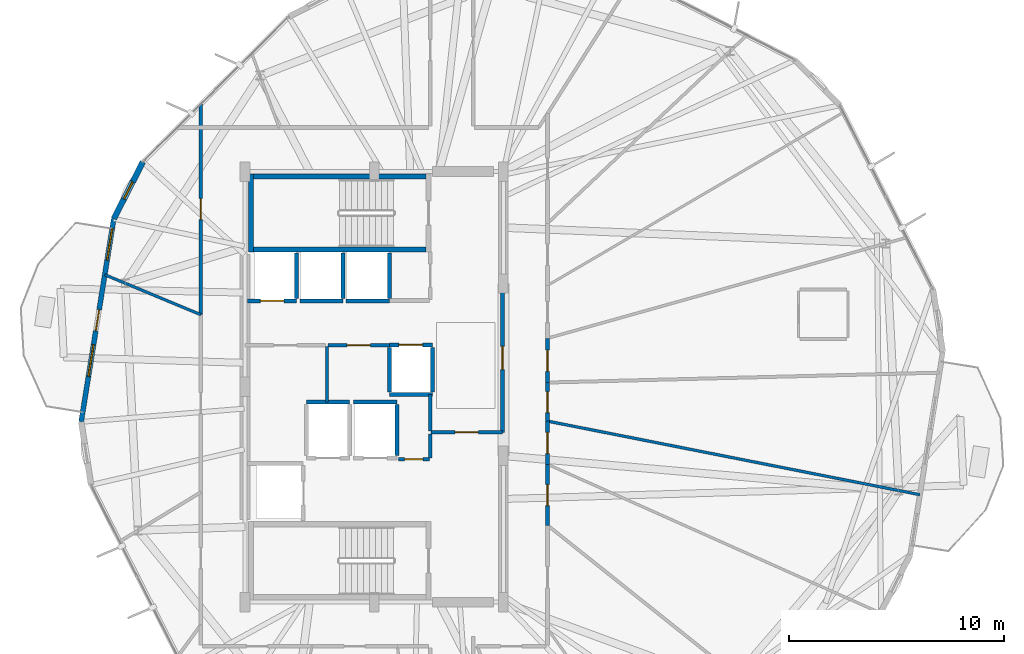
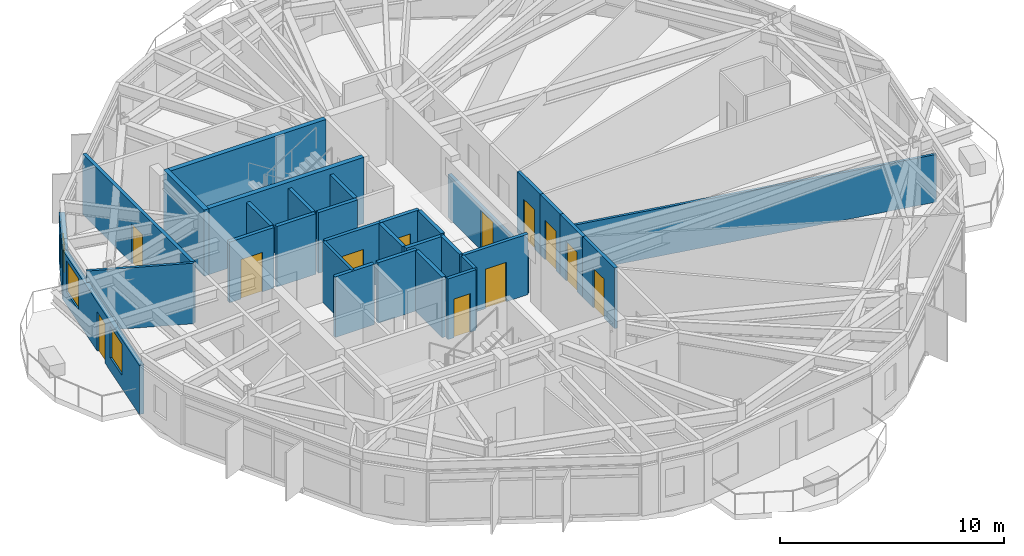
# One storey, part 22 of 27: 32 walls, 12 doors, 3 windows, 15 openings.
"""IFC4 building model written with IfcOpenShell, lengths in metres."""

from ifc_helpers import new_model, si_unit, direction, frame, frame_2d, origin, place, context, subcontext, project, spatial, rectangle, extrude, material, layer, layer_set, type_object, element, fill, save


model = new_model("IFC4")

# Units and contexts
model_context = context("Model", 3, precision=1e-05, world=origin(), true_north=direction((0.0, 1.0)))
body_context = subcontext(model_context, "Body", "Model", "MODEL_VIEW")
ifc_project = project(units=[si_unit("LENGTHUNIT", "METRE"), si_unit("AREAUNIT", "SQUARE_METRE"), si_unit("VOLUMEUNIT", "CUBIC_METRE"), si_unit("PLANEANGLEUNIT", "RADIAN"), si_unit("MASSUNIT", "GRAM", prefix="KILO")], contexts=[model_context])

# Site, building, storey
site_placement = place(None, origin())
site = spatial("IfcSite", under=ifc_project, at=site_placement, CompositionType="ELEMENT")
building_placement = place(site_placement, origin())
building = spatial("IfcBuilding", under=site, at=building_placement, Name="Soratama Intermodal Tower", CompositionType="ELEMENT")
storey_placement = place(building_placement, frame((0.0, 0.0, 197.800048828125)))
storey = spatial("IfcBuildingStorey", under=building, at=storey_placement, Name="L49", CompositionType="ELEMENT", Elevation=197.800048828125)

# Wall, openings, door, windows
ifc_material_1 = material(Name="Concrete f'c 42 MPa", Category="concrete")
ifc_layer_1 = layer(ifc_material_1, 0.22998046875)
ifc_layer_set_1 = layer_set([ifc_layer_1], Name="Concrete f'c 42 MPa")
wall_type_1 = type_object("IfcWallType", Name="EW-BAL-230", PredefinedType="SOLIDWALL", material=ifc_layer_set_1)
wall_1_placement = place(storey_placement, frame((26.50390625, 32.806640625, 0.0), z_axis=(0.0, 0.0, 1.0), x_axis=(-0.158485894053, -0.987361241586, 0.0)))
wall_1 = element("IfcWall", 1, at=wall_1_placement, inside=storey, type_object=wall_type_1, Name="L49 Terrace Wall F04", PredefinedType="SOLIDWALL", context=body_context, shape_type="SweptSolid", body=[
    extrude(rectangle(XDim=9.552490234375, YDim=0.22998046875, at=frame_2d((4.7763671875, 0.0))), origin(), (0.0, 0.0, 1.0), 2.678955078125),
])
opening_1_placement = place(wall_1_placement, frame((4.276123046875, 0.0, 0.0)))
opening_1 = element("IfcOpeningElement", 2, at=opening_1_placement, cuts=wall_1, Name="Opening ED-2", PredefinedType="OPENING", context=body_context, shape_type="SweptSolid", body=[
    extrude(rectangle(XDim=1.0, YDim=2.14990234375, at=frame_2d((0.5, 1.074951171875))), frame((0.0, 0.125, 0.0), z_axis=(0.0, -1.0, 0.0), x_axis=(1.0, 0.0, 0.0)), (0.0, 0.0, 1.0), 0.25),
])
opening_2_placement = place(wall_1_placement, frame((0.43994140625, 0.0, 0.719970703125)))
opening_2 = element("IfcOpeningElement", 3, at=opening_2_placement, cuts=wall_1, Name="Opening WN-1", PredefinedType="OPENING", context=body_context, shape_type="SweptSolid", body=[
    extrude(rectangle(XDim=1.5, YDim=1.699951171875, at=frame_2d((0.75, 0.85009765625))), frame((0.0, 0.125, 0.0), z_axis=(0.0, -1.0, 0.0), x_axis=(1.0, 0.0, 0.0)), (0.0, 0.0, 1.0), 0.25),
])
opening_3_placement = place(wall_1_placement, frame((5.916259765625, 0.0, 0.719970703125)))
opening_3 = element("IfcOpeningElement", 4, at=opening_3_placement, cuts=wall_1, Name="Opening WN-1", PredefinedType="OPENING", context=body_context, shape_type="SweptSolid", body=[
    extrude(rectangle(XDim=1.5, YDim=1.699951171875, at=frame_2d((0.75, 0.85009765625))), frame((0.0, 0.125, 0.0), z_axis=(0.0, -1.0, 0.0), x_axis=(1.0, 0.0, 0.0)), (0.0, 0.0, 1.0), 0.25),
])
ifc_material_2 = material(Name="Double-glazed aluminium door", Category="aluminium")
door_type_1 = type_object("IfcDoorType", Name="DR-BAL-1000", OperationType="NOTDEFINED", PredefinedType="DOOR", material=ifc_material_2)
door_1_placement = place(opening_1_placement, origin())
door_1 = element("IfcDoor", 5, at=door_1_placement, inside=storey, type_object=door_type_1, Name="L49 Balcony Door F04", OperationType="SINGLE_SWING_RIGHT", OverallHeight=2.14990234375, OverallWidth=1.0, PredefinedType="DOOR", context=body_context, shape_type="SweptSolid", body=[
    extrude(rectangle(XDim=1.0, YDim=2.14990234375, at=frame_2d((0.5, 1.074951171875))), frame((0.0, 0.02490234375, 0.0), z_axis=(0.0, -1.0, 0.0), x_axis=(1.0, 0.0, 0.0)), (0.0, 0.0, 1.0), 0.050048828125),
])
fill(opening_1, door_1)
ifc_material_3 = material(Name="Double-glazed aluminium window", Category="aluminium")
window_type_1 = type_object("IfcWindowType", Name="WN-FAC-1500", PartitioningType="SINGLE_PANEL", PredefinedType="WINDOW", material=ifc_material_3)
window_1_placement = place(opening_2_placement, origin())
window_1 = element("IfcWindow", 6, at=window_1_placement, inside=storey, type_object=window_type_1, Name="L49 Window A F04", OverallHeight=1.699951171875, OverallWidth=1.5, PartitioningType="SINGLE_PANEL", PredefinedType="WINDOW", context=body_context, shape_type="SweptSolid", body=[
    extrude(rectangle(XDim=1.5, YDim=1.699951171875, at=frame_2d((0.75, 0.85009765625))), frame((0.0, 0.030029296875, 0.0), z_axis=(0.0, -1.0, 0.0), x_axis=(1.0, 0.0, 0.0)), (0.0, 0.0, 1.0), 0.06005859375),
])
fill(opening_2, window_1)
window_2_placement = place(opening_3_placement, origin())
window_2 = element("IfcWindow", 7, at=window_2_placement, inside=storey, type_object=window_type_1, Name="L49 Window B F04", OverallHeight=1.699951171875, OverallWidth=1.5, PartitioningType="SINGLE_PANEL", PredefinedType="WINDOW", context=body_context, shape_type="SweptSolid", body=[
    extrude(rectangle(XDim=1.5, YDim=1.699951171875, at=frame_2d((0.75, 0.85009765625))), frame((0.0, 0.030029296875, 0.0), z_axis=(0.0, -1.0, 0.0), x_axis=(1.0, 0.0, 0.0)), (0.0, 0.0, 1.0), 0.06005859375),
])
fill(opening_3, window_2)

# Wall, opening, window
ifc_material_4 = material(Name="Concrete f'c 42 MPa", Category="concrete")
ifc_layer_2 = layer(ifc_material_4, 0.27001953125)
ifc_layer_set_2 = layer_set([ifc_layer_2], Name="Concrete f'c 42 MPa")
wall_type_2 = type_object("IfcWallType", Name="EW-CRN-270", PredefinedType="SOLIDWALL", material=ifc_layer_set_2)
wall_2_placement = place(storey_placement, frame((27.856201171875, 35.447021484375, 0.0), z_axis=(0.0, 0.0, 1.0), x_axis=(-0.455850427724, -0.89005639571, 0.0)))
wall_2 = element("IfcWall", 8, at=wall_2_placement, inside=storey, type_object=wall_type_2, Name="L49 Corner Closure Wall 03", PredefinedType="SOLIDWALL", context=body_context, shape_type="SweptSolid", body=[
    extrude(rectangle(XDim=2.966552734375, YDim=0.27001953125, at=frame_2d((1.4833984375, 0.0))), origin(), (0.0, 0.0, 1.0), 2.678955078125),
])
opening_4_placement = place(wall_2_placement, frame((1.033203125, 0.0, 0.75)))
opening_4 = element("IfcOpeningElement", 9, at=opening_4_placement, cuts=wall_2, Name="Opening WN-6", PredefinedType="OPENING", context=body_context, shape_type="SweptSolid", body=[
    extrude(rectangle(XDim=0.89990234375, YDim=1.5, at=frame_2d((0.449951171875, 0.75))), frame((0.0, 0.14501953125, 0.0), z_axis=(0.0, -1.0, 0.0), x_axis=(1.0, 0.0, 0.0)), (0.0, 0.0, 1.0), 0.2900390625),
])
ifc_material_5 = material(Name="Double-glazed aluminium window", Category="aluminium")
window_type_2 = type_object("IfcWindowType", Name="WN-FAC-900", PartitioningType="SINGLE_PANEL", PredefinedType="WINDOW", material=ifc_material_5)
window_3_placement = place(opening_4_placement, origin())
window_3 = element("IfcWindow", 10, at=window_3_placement, inside=storey, type_object=window_type_2, Name="L49 Corner Window 03", OverallHeight=1.5, OverallWidth=0.89990234375, PartitioningType="SINGLE_PANEL", PredefinedType="WINDOW", context=body_context, shape_type="SweptSolid", body=[
    extrude(rectangle(XDim=0.89990234375, YDim=1.5, at=frame_2d((0.449951171875, 0.75))), frame((0.0, 0.030029296875, 0.0), z_axis=(0.0, -1.0, 0.0), x_axis=(1.0, 0.0, 0.0)), (0.0, 0.0, 1.0), 0.06005859375),
])
fill(opening_4, window_3)

# Wall, opening, door
ifc_material_6 = material(Name="Fire-rated gypsum stud partition", Category="concrete")
ifc_layer_3 = layer(ifc_material_6, 0.169921875)
ifc_layer_set_3 = layer_set([ifc_layer_3], Name="Fire-rated gypsum stud partition")
wall_type_3 = type_object("IfcWallType", Name="IW-PART-R170", PredefinedType="PARTITIONING", material=ifc_layer_set_3)
wall_3_placement = place(storey_placement, frame((30.550048828125, 28.35107421875, 0.0), z_axis=(0.0, 0.0, 1.0), x_axis=(0.0, 1.0, 0.0)))
wall_3 = element("IfcWall", 11, at=wall_3_placement, inside=storey, type_object=wall_type_3, Name="L49 Partition W-L49-TP008", PredefinedType="PARTITIONING", context=body_context, shape_type="SweptSolid", body=[
    extrude(rectangle(XDim=9.77783203125, YDim=0.169921875, at=frame_2d((4.888916015625, 0.0))), origin(), (0.0, 0.0, 1.0), 3.300048828125),
])
opening_5_placement = place(wall_3_placement, frame((4.4140625, 0.0, 0.0)))
opening_5 = element("IfcOpeningElement", 12, at=opening_5_placement, cuts=wall_3, Name="Opening ID-5", PredefinedType="OPENING", context=body_context, shape_type="SweptSolid", body=[
    extrude(rectangle(XDim=0.97998046875, YDim=2.14990234375, at=frame_2d((0.489990234375, 1.074951171875))), frame((0.0, 0.094970703125, 0.0), z_axis=(0.0, -1.0, 0.0), x_axis=(1.0, 0.0, 0.0)), (0.0, 0.0, 1.0), 0.18994140625),
])
ifc_material_7 = material(Name="Solid hardwood acoustic door", Category="wood")
door_type_2 = type_object("IfcDoorType", Name="DR-OFF-980", OperationType="NOTDEFINED", PredefinedType="DOOR", material=ifc_material_7)
door_2_placement = place(opening_5_placement, origin())
door_2 = element("IfcDoor", 13, at=door_2_placement, inside=storey, type_object=door_type_2, Name="L49 Door D-L49-TP001", OperationType="SINGLE_SWING_RIGHT", OverallHeight=2.14990234375, OverallWidth=0.97998046875, PredefinedType="DOOR", context=body_context, shape_type="SweptSolid", body=[
    extrude(rectangle(XDim=0.97998046875, YDim=2.14990234375, at=frame_2d((0.489990234375, 1.074951171875))), frame((0.0, 0.02490234375, 0.0), z_axis=(0.0, -1.0, 0.0), x_axis=(1.0, 0.0, 0.0)), (0.0, 0.0, 1.0), 0.050048828125),
])
fill(opening_5, door_2)

wall_4_placement = place(storey_placement, frame((44.56005859375, 29.800048828125, 0.0), z_axis=(0.0, 0.0, 1.0), x_axis=(0.0, -1.0, 0.0)))
wall_4 = element("IfcWall", 14, at=wall_4_placement, inside=storey, type_object=wall_type_3, Name="L49 Partition W-L49-TP018", PredefinedType="PARTITIONING", context=body_context, shape_type="SweptSolid", body=[
    extrude(rectangle(XDim=6.91015625, YDim=0.169921875, at=frame_2d((3.455078125, 0.0))), origin(), (0.0, 0.0, 1.0), 2.33984375),
])
opening_6_placement = place(wall_4_placement, frame((2.9150390625, 0.0, 0.0)))
opening_6 = element("IfcOpeningElement", 15, at=opening_6_placement, cuts=wall_4, Name="Opening ID-1", PredefinedType="OPENING", context=body_context, shape_type="SweptSolid", body=[
    extrude(rectangle(XDim=1.080078125, YDim=2.14990234375, at=frame_2d((0.5400390625, 1.074951171875))), frame((0.0, 0.094970703125, 0.0), z_axis=(0.0, -1.0, 0.0), x_axis=(1.0, 0.0, 0.0)), (0.0, 0.0, 1.0), 0.18994140625),
])
ifc_material_8 = material(Name="Solid hardwood acoustic door", Category="wood")
door_type_3 = type_object("IfcDoorType", Name="DR-LOB-FD60", OperationType="NOTDEFINED", PredefinedType="DOOR", material=ifc_material_8)
door_3_placement = place(opening_6_placement, origin())
door_3 = element("IfcDoor", 16, at=door_3_placement, inside=storey, type_object=door_type_3, Name="L49 Door D-L49-TP006", OperationType="SINGLE_SWING_LEFT", OverallHeight=2.14990234375, OverallWidth=1.080078125, PredefinedType="DOOR", context=body_context, shape_type="SweptSolid", body=[
    extrude(rectangle(XDim=1.080078125, YDim=2.14990234375, at=frame_2d((0.5400390625, 1.074951171875))), frame((0.0, 0.02490234375, 0.0), z_axis=(0.0, -1.0, 0.0), x_axis=(1.0, 0.0, 0.0)), (0.0, 0.0, 1.0), 0.050048828125),
])
fill(opening_6, door_3)

wall_5_placement = place(storey_placement, frame((41.239990234375, 22.889892578125, 0.0), z_axis=(0.0, 0.0, 1.0), x_axis=(1.0, 0.0, 0.0)))
wall_5 = element("IfcWall", 17, at=wall_5_placement, inside=storey, type_object=wall_type_3, Name="L49 Partition W-L49-TP030", PredefinedType="PARTITIONING", context=body_context, shape_type="SweptSolid", body=[
    extrude(rectangle(XDim=3.320068359375, YDim=0.169921875, at=frame_2d((1.66015625, 0.0))), origin(), (0.0, 0.0, 1.0), 3.300048828125),
])
opening_7_placement = place(wall_5_placement, frame((1.1201171875, 0.0, 0.0)))
opening_7 = element("IfcOpeningElement", 18, at=opening_7_placement, cuts=wall_5, Name="Opening ID-0", PredefinedType="OPENING", context=body_context, shape_type="SweptSolid", body=[
    extrude(rectangle(XDim=1.080078125, YDim=2.14990234375, at=frame_2d((0.5400390625, 1.074951171875))), frame((0.0, 0.094970703125, 0.0), z_axis=(0.0, -1.0, 0.0), x_axis=(1.0, 0.0, 0.0)), (0.0, 0.0, 1.0), 0.18994140625),
])
ifc_material_9 = material(Name="Solid hardwood acoustic door", Category="wood")
door_type_4 = type_object("IfcDoorType", Name="DR-LOB-FD90", OperationType="NOTDEFINED", PredefinedType="DOOR", material=ifc_material_9)
door_4_placement = place(opening_7_placement, origin())
door_4 = element("IfcDoor", 19, at=door_4_placement, inside=storey, type_object=door_type_4, Name="L49 Door D-L49-TP013", OperationType="SINGLE_SWING_RIGHT", OverallHeight=2.14990234375, OverallWidth=1.080078125, PredefinedType="DOOR", context=body_context, shape_type="SweptSolid", body=[
    extrude(rectangle(XDim=1.080078125, YDim=2.14990234375, at=frame_2d((0.5400390625, 1.074951171875))), frame((0.0, 0.02490234375, 0.0), z_axis=(0.0, -1.0, 0.0), x_axis=(1.0, 0.0, 0.0)), (0.0, 0.0, 1.0), 0.050048828125),
])
fill(opening_7, door_4)

wall_6_placement = place(storey_placement, frame((39.300048828125, 26.93994140625, 0.0), z_axis=(0.0, 0.0, 1.0), x_axis=(-1.0, 0.0, 0.0)))
wall_6 = element("IfcWall", 20, at=wall_6_placement, inside=storey, type_object=wall_type_3, Name="L49 Partition W-L49-TP034", PredefinedType="PARTITIONING", context=body_context, shape_type="SweptSolid", body=[
    extrude(rectangle(XDim=2.840087890625, YDim=0.169921875, at=frame_2d((1.419921875, 0.0))), origin(), (0.0, 0.0, 1.0), 3.300048828125),
])
opening_8_placement = place(wall_6_placement, frame((0.8798828125, 0.0, 0.0)))
opening_8 = element("IfcOpeningElement", 21, at=opening_8_placement, cuts=wall_6, Name="Opening ID-1", PredefinedType="OPENING", context=body_context, shape_type="SweptSolid", body=[
    extrude(rectangle(XDim=1.080078125, YDim=2.14990234375, at=frame_2d((0.5400390625, 1.074951171875))), frame((0.0, 0.094970703125, 0.0), z_axis=(0.0, -1.0, 0.0), x_axis=(1.0, 0.0, 0.0)), (0.0, 0.0, 1.0), 0.18994140625),
])
door_5_placement = place(opening_8_placement, origin())
door_5 = element("IfcDoor", 22, at=door_5_placement, inside=storey, type_object=door_type_3, Name="L49 Door D-L49-TP016", OperationType="SINGLE_SWING_LEFT", OverallHeight=2.14990234375, OverallWidth=1.080078125, PredefinedType="DOOR", context=body_context, shape_type="SweptSolid", body=[
    extrude(rectangle(XDim=1.080078125, YDim=2.14990234375, at=frame_2d((0.5400390625, 1.074951171875))), frame((0.0, 0.02490234375, 0.0), z_axis=(0.0, -1.0, 0.0), x_axis=(1.0, 0.0, 0.0)), (0.0, 0.0, 1.0), 0.050048828125),
])
fill(opening_8, door_5)

wall_7_placement = place(storey_placement, frame((46.64990234375, 21.405029296875, 0.0), z_axis=(0.0, 0.0, 1.0), x_axis=(0.0, -1.0, 0.0)))
wall_7 = element("IfcWall", 23, at=wall_7_placement, inside=storey, type_object=wall_type_3, Name="L49 Partition W-L49-TP035", PredefinedType="PARTITIONING", context=body_context, shape_type="SweptSolid", body=[
    extrude(rectangle(XDim=2.83203125, YDim=0.169921875, at=frame_2d((1.416015625, 0.0))), origin(), (0.0, 0.0, 1.0), 3.300048828125),
])
opening_9_placement = place(wall_7_placement, frame((0.94091796875, 0.0, 0.0)))
opening_9 = element("IfcOpeningElement", 24, at=opening_9_placement, cuts=wall_7, Name="Opening ID-5", PredefinedType="OPENING", context=body_context, shape_type="SweptSolid", body=[
    extrude(rectangle(XDim=0.97998046875, YDim=2.14990234375, at=frame_2d((0.489990234375, 1.074951171875))), frame((0.0, 0.094970703125, 0.0), z_axis=(0.0, -1.0, 0.0), x_axis=(1.0, 0.0, 0.0)), (0.0, 0.0, 1.0), 0.18994140625),
])
door_6_placement = place(opening_9_placement, origin())
door_6 = element("IfcDoor", 25, at=door_6_placement, inside=storey, type_object=door_type_2, Name="L49 Door D-L49-TP017", OperationType="SINGLE_SWING_RIGHT", OverallHeight=2.14990234375, OverallWidth=0.97998046875, PredefinedType="DOOR", context=body_context, shape_type="SweptSolid", body=[
    extrude(rectangle(XDim=0.97998046875, YDim=2.14990234375, at=frame_2d((0.489990234375, 1.074951171875))), frame((0.0, 0.02490234375, 0.0), z_axis=(0.0, -1.0, 0.0), x_axis=(1.0, 0.0, 0.0)), (0.0, 0.0, 1.0), 0.050048828125),
])
fill(opening_9, door_6)

wall_8_placement = place(storey_placement, frame((46.64990234375, 27.258056640625, 0.0), z_axis=(0.0, 0.0, 1.0), x_axis=(0.0, -1.0, 0.0)))
wall_8 = element("IfcWall", 26, at=wall_8_placement, inside=storey, type_object=wall_type_3, Name="L49 Partition W-L49-TP043", PredefinedType="PARTITIONING", context=body_context, shape_type="SweptSolid", body=[
    extrude(rectangle(XDim=2.05615234375, YDim=0.169921875, at=frame_2d((1.028076171875, 0.0))), origin(), (0.0, 0.0, 1.0), 3.300048828125),
])
opening_10_placement = place(wall_8_placement, frame((0.552978515625, 0.0, 0.0)))
opening_10 = element("IfcOpeningElement", 27, at=opening_10_placement, cuts=wall_8, Name="Opening ID-5", PredefinedType="OPENING", context=body_context, shape_type="SweptSolid", body=[
    extrude(rectangle(XDim=0.97998046875, YDim=2.14990234375, at=frame_2d((0.489990234375, 1.074951171875))), frame((0.0, 0.094970703125, 0.0), z_axis=(0.0, -1.0, 0.0), x_axis=(1.0, 0.0, 0.0)), (0.0, 0.0, 1.0), 0.18994140625),
])
door_7_placement = place(opening_10_placement, origin())
door_7 = element("IfcDoor", 28, at=door_7_placement, inside=storey, type_object=door_type_2, Name="L49 Door D-L49-TP021", OperationType="SINGLE_SWING_RIGHT", OverallHeight=2.14990234375, OverallWidth=0.97998046875, PredefinedType="DOOR", context=body_context, shape_type="SweptSolid", body=[
    extrude(rectangle(XDim=0.97998046875, YDim=2.14990234375, at=frame_2d((0.489990234375, 1.074951171875))), frame((0.0, 0.02490234375, 0.0), z_axis=(0.0, -1.0, 0.0), x_axis=(1.0, 0.0, 0.0)), (0.0, 0.0, 1.0), 0.050048828125),
])
fill(opening_10, door_7)

wall_9_placement = place(storey_placement, frame((46.64990234375, 23.409912109375, 0.0), z_axis=(0.0, 0.0, 1.0), x_axis=(0.0, -1.0, 0.0)))
wall_9 = element("IfcWall", 29, at=wall_9_placement, inside=storey, type_object=wall_type_3, Name="L49 Partition W-L49-TP044", PredefinedType="PARTITIONING", context=body_context, shape_type="SweptSolid", body=[
    extrude(rectangle(XDim=2.0048828125, YDim=0.169921875, at=frame_2d((1.00244140625, 0.0))), origin(), (0.0, 0.0, 1.0), 3.300048828125),
])
opening_11_placement = place(wall_9_placement, frame((0.527099609375, 0.0, 0.0)))
opening_11 = element("IfcOpeningElement", 30, at=opening_11_placement, cuts=wall_9, Name="Opening ID-5", PredefinedType="OPENING", context=body_context, shape_type="SweptSolid", body=[
    extrude(rectangle(XDim=0.97998046875, YDim=2.14990234375, at=frame_2d((0.489990234375, 1.074951171875))), frame((0.0, 0.094970703125, 0.0), z_axis=(0.0, -1.0, 0.0), x_axis=(1.0, 0.0, 0.0)), (0.0, 0.0, 1.0), 0.18994140625),
])
door_8_placement = place(opening_11_placement, origin())
door_8 = element("IfcDoor", 31, at=door_8_placement, inside=storey, type_object=door_type_2, Name="L49 Door D-L49-TP022", OperationType="SINGLE_SWING_LEFT", OverallHeight=2.14990234375, OverallWidth=0.97998046875, PredefinedType="DOOR", context=body_context, shape_type="SweptSolid", body=[
    extrude(rectangle(XDim=0.97998046875, YDim=2.14990234375, at=frame_2d((0.489990234375, 1.074951171875))), frame((0.0, 0.02490234375, 0.0), z_axis=(0.0, -1.0, 0.0), x_axis=(1.0, 0.0, 0.0)), (0.0, 0.0, 1.0), 0.050048828125),
])
fill(opening_11, door_8)

wall_10_placement = place(storey_placement, frame((46.64990234375, 25.201904296875, 0.0), z_axis=(0.0, 0.0, 1.0), x_axis=(0.0, -1.0, 0.0)))
wall_10 = element("IfcWall", 32, at=wall_10_placement, inside=storey, type_object=wall_type_3, Name="L49 Partition W-L49-TP047", PredefinedType="PARTITIONING", context=body_context, shape_type="SweptSolid", body=[
    extrude(rectangle(XDim=1.7919921875, YDim=0.169921875, at=frame_2d((0.89599609375, 0.0))), origin(), (0.0, 0.0, 1.0), 3.300048828125),
])
opening_12_placement = place(wall_10_placement, frame((0.4208984375, 0.0, 0.0)))
opening_12 = element("IfcOpeningElement", 33, at=opening_12_placement, cuts=wall_10, Name="Opening ID-5", PredefinedType="OPENING", context=body_context, shape_type="SweptSolid", body=[
    extrude(rectangle(XDim=0.97998046875, YDim=2.14990234375, at=frame_2d((0.489990234375, 1.074951171875))), frame((0.0, 0.094970703125, 0.0), z_axis=(0.0, -1.0, 0.0), x_axis=(1.0, 0.0, 0.0)), (0.0, 0.0, 1.0), 0.18994140625),
])
door_9_placement = place(opening_12_placement, origin())
door_9 = element("IfcDoor", 34, at=door_9_placement, inside=storey, type_object=door_type_2, Name="L49 Door D-L49-TP023", OperationType="SINGLE_SWING_RIGHT", OverallHeight=2.14990234375, OverallWidth=0.97998046875, PredefinedType="DOOR", context=body_context, shape_type="SweptSolid", body=[
    extrude(rectangle(XDim=0.97998046875, YDim=2.14990234375, at=frame_2d((0.489990234375, 1.074951171875))), frame((0.0, 0.02490234375, 0.0), z_axis=(0.0, -1.0, 0.0), x_axis=(1.0, 0.0, 0.0)), (0.0, 0.0, 1.0), 0.050048828125),
])
fill(opening_12, door_9)

# Wall
wall_11_placement = place(storey_placement, frame((41.199951171875, 22.9599609375, 0.0), z_axis=(0.0, 0.0, 1.0), x_axis=(0.0, 1.0, 0.0)))
element("IfcWall", 35, at=wall_11_placement, inside=storey, type_object=wall_type_3, Name="L49 Partition W-L49-TP048", PredefinedType="PARTITIONING", context=body_context, shape_type="SweptSolid", body=[
    extrude(rectangle(XDim=1.68994140625, YDim=0.169921875, at=frame_2d((0.844970703125, 0.0))), origin(), (0.0, 0.0, 1.0), 3.300048828125),
])

# Wall, opening, door
wall_12_placement = place(storey_placement, frame((39.719970703125, 21.639892578125, 0.0), z_axis=(0.0, 0.0, 1.0), x_axis=(1.0, 0.0, 0.0)))
wall_12 = element("IfcWall", 36, at=wall_12_placement, inside=storey, type_object=wall_type_3, Name="L49 Partition W-L49-TP050", PredefinedType="PARTITIONING", context=body_context, shape_type="SweptSolid", body=[
    extrude(rectangle(XDim=1.43994140625, YDim=0.169921875, at=frame_2d((0.719970703125, 0.0))), origin(), (0.0, 0.0, 1.0), 3.300048828125),
])
opening_13_placement = place(wall_12_placement, frame((0.294921875, 0.0, 0.0)))
opening_13 = element("IfcOpeningElement", 37, at=opening_13_placement, cuts=wall_12, Name="Opening ID-4", PredefinedType="OPENING", context=body_context, shape_type="SweptSolid", body=[
    extrude(rectangle(XDim=0.85009765625, YDim=2.10009765625, at=frame_2d((0.425048828125, 1.050048828125))), frame((0.0, 0.094970703125, 0.0), z_axis=(0.0, -1.0, 0.0), x_axis=(1.0, 0.0, 0.0)), (0.0, 0.0, 1.0), 0.18994140625),
])
ifc_material_10 = material(Name="Solid hardwood acoustic door", Category="wood")
door_type_5 = type_object("IfcDoorType", Name="DR-BATH-850", OperationType="NOTDEFINED", PredefinedType="DOOR", material=ifc_material_10)
door_10_placement = place(opening_13_placement, origin())
door_10 = element("IfcDoor", 38, at=door_10_placement, inside=storey, type_object=door_type_5, Name="L49 Door D-L49-TP024", OperationType="SINGLE_SWING_LEFT", OverallHeight=2.10009765625, OverallWidth=0.85009765625, PredefinedType="DOOR", context=body_context, shape_type="SweptSolid", body=[
    extrude(rectangle(XDim=0.85009765625, YDim=2.10009765625, at=frame_2d((0.425048828125, 1.050048828125))), frame((0.0, 0.02490234375, 0.0), z_axis=(0.0, -1.0, 0.0), x_axis=(1.0, 0.0, 0.0)), (0.0, 0.0, 1.0), 0.050048828125),
])
fill(opening_13, door_10)

# Walls
wall_13_placement = place(storey_placement, frame((41.199951171875, 21.699951171875, 0.0), z_axis=(0.0, 0.0, 1.0), x_axis=(0.0, 1.0, 0.0)))
element("IfcWall", 39, at=wall_13_placement, inside=storey, type_object=wall_type_3, Name="L49 Partition W-L49-TP051", PredefinedType="PARTITIONING", context=body_context, shape_type="SweptSolid", body=[
    extrude(rectangle(XDim=1.1201171875, YDim=0.169921875, at=frame_2d((0.56005859375, 0.0))), origin(), (0.0, 0.0, 1.0), 3.300048828125),
])
ifc_material_11 = material(Name="Fire-rated gypsum stud partition", Category="concrete")
ifc_layer_4 = layer(ifc_material_11, 0.1298828125)
ifc_layer_set_4 = layer_set([ifc_layer_4], Name="Fire-rated gypsum stud partition")
wall_type_4 = type_object("IfcWallType", Name="IW-PART-S130", PredefinedType="PARTITIONING", material=ifc_layer_set_4)
wall_14_placement = place(storey_placement, frame((46.64990234375, 23.409912109375, 0.0), z_axis=(0.0, 0.0, 1.0), x_axis=(0.981026056524, -0.193875930483, 0.0)))
element("IfcWall", 40, at=wall_14_placement, inside=storey, type_object=wall_type_4, Name="L49 Partition W-L49-TP002", PredefinedType="PARTITIONING", context=body_context, shape_type="SweptSolid", body=[
    extrude(rectangle(XDim=17.629638671875, YDim=0.1298828125, at=frame_2d((8.81494140625, 0.0))), origin(), (0.0, 0.0, 1.0), 2.594970703125),
])
wall_15_placement = place(storey_placement, frame((30.550048828125, 28.35107421875, 0.0), z_axis=(0.0, 0.0, 1.0), x_axis=(-0.923275531176, 0.384138378104, 0.0)))
element("IfcWall", 41, at=wall_15_placement, inside=storey, type_object=wall_type_4, Name="L49 Partition W-L49-TP022", PredefinedType="PARTITIONING", context=body_context, shape_type="SweptSolid", body=[
    extrude(rectangle(XDim=4.833984375, YDim=0.1298828125, at=frame_2d((2.4169921875, 0.0))), origin(), (0.0, 0.0, 1.0), 3.300048828125),
])
ifc_material_12 = material(Name="Fire-rated gypsum stud partition", Category="concrete")
ifc_layer_5 = layer(ifc_material_12, 0.139892578125)
ifc_layer_set_5 = layer_set([ifc_layer_5], Name="Fire-rated gypsum stud partition")
wall_type_5 = type_object("IfcWallType", Name="IW-PART-S140", PredefinedType="PARTITIONING", material=ifc_layer_set_5)
wall_16_placement = place(storey_placement, frame((36.39990234375, 26.8798828125, 0.0), z_axis=(0.0, 0.0, 1.0), x_axis=(0.0, -1.0, 0.0)))
element("IfcWall", 42, at=wall_16_placement, inside=storey, type_object=wall_type_5, Name="L49 Partition W-L49-TP036", PredefinedType="PARTITIONING", context=body_context, shape_type="SweptSolid", body=[
    extrude(rectangle(XDim=2.579833984375, YDim=0.139892578125, at=frame_2d((1.2900390625, 0.0))), origin(), (0.0, 0.0, 1.0), 3.300048828125),
])
ifc_material_13 = material(Name="Concrete f'c 42 MPa", Category="concrete")
ifc_layer_6 = layer(ifc_material_13, 0.18505859375)
ifc_layer_set_6 = layer_set([ifc_layer_6], Name="Concrete f'c 42 MPa")
wall_type_6 = type_object("IfcWallType", Name="IW-SHAFT-185", PredefinedType="SOLIDWALL", material=ifc_layer_set_6)
for number, where, z_axis, x_axis, name in (
    (43, (35.449951171875, 24.300048828125, 0.0), (0.0, 0.0, 1.0), (1.0, 0.0, 0.0), "L49 FFL-1 Hoistway Wall N"),
    (44, (37.64990234375, 24.300048828125, 0.0), (0.0, 0.0, 1.0), (1.0, 0.0, 0.0), "L49 FFL-2 Hoistway Wall N"),
):
    element("IfcWall", number, at=place(storey_placement, frame(where, z_axis=z_axis, x_axis=x_axis)), inside=storey, type_object=wall_type_6, Name=name, PredefinedType="SOLIDWALL", context=body_context, shape_type="SweptSolid", body=[
        extrude(rectangle(XDim=2.0, YDim=0.18505859375, at=frame_2d((1.0, 0.0))), origin(), (0.0, 0.0, 1.0), 3.300048828125),
    ])
wall_17_placement = place(storey_placement, frame((39.64990234375, 21.81005859375, 0.0), z_axis=(0.0, 0.0, 1.0), x_axis=(0.0, 1.0, 0.0)))
element("IfcWall", 45, at=wall_17_placement, inside=storey, type_object=wall_type_6, Name="L49 FFL-2 Hoistway Wall E", PredefinedType="SOLIDWALL", context=body_context, shape_type="SweptSolid", body=[
    extrude(rectangle(XDim=2.3798828125, YDim=0.18505859375, at=frame_2d((1.18994140625, 0.0))), origin(), (0.0, 0.0, 1.0), 3.300048828125),
])
wall_18_placement = place(storey_placement, frame((39.300048828125, 24.64990234375, 0.0), z_axis=(0.0, 0.0, 1.0), x_axis=(1.0, 0.0, 0.0)))
element("IfcWall", 46, at=wall_18_placement, inside=storey, type_object=wall_type_6, Name="L49 PL-M1 Hoistway Wall S", PredefinedType="SOLIDWALL", context=body_context, shape_type="SweptSolid", body=[
    extrude(rectangle(XDim=2.0, YDim=0.18505859375, at=frame_2d((1.0, 0.0))), origin(), (0.0, 0.0, 1.0), 3.300048828125),
])

# Wall, opening, door
wall_19_placement = place(storey_placement, frame((39.300048828125, 26.949951171875, 0.0), z_axis=(0.0, 0.0, 1.0), x_axis=(1.0, 0.0, 0.0)))
wall_19 = element("IfcWall", 47, at=wall_19_placement, inside=storey, type_object=wall_type_6, Name="L49 PL-M1 Hoistway Wall N", PredefinedType="SOLIDWALL", context=body_context, shape_type="SweptSolid", body=[
    extrude(rectangle(XDim=2.0, YDim=0.18505859375, at=frame_2d((1.0, 0.0))), origin(), (0.0, 0.0, 1.0), 3.300048828125),
])
opening_14_placement = place(wall_19_placement, frame((0.449951171875, 0.0, 0.0)))
opening_14 = element("IfcOpeningElement", 48, at=opening_14_placement, cuts=wall_19, Name="Opening LD-1", PredefinedType="OPENING", context=body_context, shape_type="SweptSolid", body=[
    extrude(rectangle(XDim=1.10009765625, YDim=2.14990234375, at=frame_2d((0.550048828125, 1.074951171875))), frame((0.0, 0.1025390625, 0.0), z_axis=(0.0, -1.0, 0.0), x_axis=(1.0, 0.0, 0.0)), (0.0, 0.0, 1.0), 0.205078125),
])
ifc_material_14 = material(Name="Steel fire door", Category="steel")
door_type_6 = type_object("IfcDoorType", Name="DR-LIFT-SLIDE", OperationType="NOTDEFINED", PredefinedType="DOOR", material=ifc_material_14)
door_11_placement = place(opening_14_placement, origin())
door_11 = element("IfcDoor", 49, at=door_11_placement, inside=storey, type_object=door_type_6, Name="L49 PL-M1 Sliding Landing Door", OperationType="SLIDING_TO_LEFT", OverallHeight=2.14990234375, OverallWidth=1.10009765625, PredefinedType="DOOR", context=body_context, shape_type="SweptSolid", body=[
    extrude(rectangle(XDim=1.10009765625, YDim=2.14990234375, at=frame_2d((0.550048828125, 1.074951171875))), frame((0.0, 0.02490234375, 0.0), z_axis=(0.0, -1.0, 0.0), x_axis=(1.0, 0.0, 0.0)), (0.0, 0.0, 1.0), 0.050048828125),
])
fill(opening_14, door_11)

# Walls
for number, where, z_axis, x_axis, name in (
    (50, (39.300048828125, 24.760009765625, 0.0), (0.0, 0.0, 1.0), (0.0, 1.0, 0.0), "L49 PL-M1 Hoistway Wall W"),
    (51, (41.300048828125, 24.760009765625, 0.0), (0.0, 0.0, 1.0), (0.0, 1.0, 0.0), "L49 PL-M1 Hoistway Wall E"),
):
    element("IfcWall", number, at=place(storey_placement, frame(where, z_axis=z_axis, x_axis=x_axis)), inside=storey, type_object=wall_type_6, Name=name, PredefinedType="SOLIDWALL", context=body_context, shape_type="SweptSolid", body=[
        extrude(rectangle(XDim=2.080078125, YDim=0.18505859375, at=frame_2d((1.0400390625, 0.0))), origin(), (0.0, 0.0, 1.0), 3.300048828125),
    ])

# Wall, opening, door
wall_20_placement = place(storey_placement, frame((32.719970703125, 29.0, 0.0), z_axis=(0.0, 0.0, 1.0), x_axis=(1.0, 0.0, 0.0)))
wall_20 = element("IfcWall", 52, at=wall_20_placement, inside=storey, type_object=wall_type_6, Name="L49 PL-M2 Hoistway Wall S", PredefinedType="SOLIDWALL", context=body_context, shape_type="SweptSolid", body=[
    extrude(rectangle(XDim=2.280029296875, YDim=0.18505859375, at=frame_2d((1.14013671875, 0.0))), origin(), (0.0, 0.0, 1.0), 3.300048828125),
])
opening_15_placement = place(wall_20_placement, frame((0.590087890625, 0.0, 0.0)))
opening_15 = element("IfcOpeningElement", 53, at=opening_15_placement, cuts=wall_20, Name="Opening LD-1", PredefinedType="OPENING", context=body_context, shape_type="SweptSolid", body=[
    extrude(rectangle(XDim=1.10009765625, YDim=2.14990234375, at=frame_2d((0.550048828125, 1.074951171875))), frame((0.0, 0.1025390625, 0.0), z_axis=(0.0, -1.0, 0.0), x_axis=(1.0, 0.0, 0.0)), (0.0, 0.0, 1.0), 0.205078125),
])
door_12_placement = place(opening_15_placement, origin())
door_12 = element("IfcDoor", 54, at=door_12_placement, inside=storey, type_object=door_type_6, Name="L49 PL-M2 Sliding Landing Door", OperationType="SLIDING_TO_LEFT", OverallHeight=2.14990234375, OverallWidth=1.10009765625, PredefinedType="DOOR", context=body_context, shape_type="SweptSolid", body=[
    extrude(rectangle(XDim=1.10009765625, YDim=2.14990234375, at=frame_2d((0.550048828125, 1.074951171875))), frame((0.0, 0.02490234375, 0.0), z_axis=(0.0, -1.0, 0.0), x_axis=(1.0, 0.0, 0.0)), (0.0, 0.0, 1.0), 0.050048828125),
])
fill(opening_15, door_12)

# Walls
wall_21_placement = place(storey_placement, frame((35.0, 29.110107421875, 0.0), z_axis=(0.0, 0.0, 1.0), x_axis=(0.0, 1.0, 0.0)))
element("IfcWall", 55, at=wall_21_placement, inside=storey, type_object=wall_type_6, Name="L49 PL-M2 Hoistway Wall E", PredefinedType="SOLIDWALL", context=body_context, shape_type="SweptSolid", body=[
    extrude(rectangle(XDim=2.099853515625, YDim=0.18505859375, at=frame_2d((1.0498046875, 0.0))), origin(), (0.0, 0.0, 1.0), 3.300048828125),
])
wall_22_placement = place(storey_placement, frame((35.14990234375, 29.0, 0.0), z_axis=(0.0, 0.0, 1.0), x_axis=(1.0, 0.0, 0.0)))
element("IfcWall", 56, at=wall_22_placement, inside=storey, type_object=wall_type_6, Name="L49 PL-H1 Hoistway Wall S", PredefinedType="SOLIDWALL", context=body_context, shape_type="SweptSolid", body=[
    extrude(rectangle(XDim=2.0, YDim=0.18505859375, at=frame_2d((1.0, 0.0))), origin(), (0.0, 0.0, 1.0), 3.300048828125),
])
wall_23_placement = place(storey_placement, frame((37.14990234375, 29.110107421875, 0.0), z_axis=(0.0, 0.0, 1.0), x_axis=(0.0, 1.0, 0.0)))
element("IfcWall", 57, at=wall_23_placement, inside=storey, type_object=wall_type_6, Name="L49 PL-H1 Hoistway Wall E", PredefinedType="SOLIDWALL", context=body_context, shape_type="SweptSolid", body=[
    extrude(rectangle(XDim=2.099853515625, YDim=0.18505859375, at=frame_2d((1.0498046875, 0.0))), origin(), (0.0, 0.0, 1.0), 3.300048828125),
])
wall_24_placement = place(storey_placement, frame((37.300048828125, 29.0, 0.0), z_axis=(0.0, 0.0, 1.0), x_axis=(1.0, 0.0, 0.0)))
element("IfcWall", 58, at=wall_24_placement, inside=storey, type_object=wall_type_6, Name="L49 PL-H2 Hoistway Wall S", PredefinedType="SOLIDWALL", context=body_context, shape_type="SweptSolid", body=[
    extrude(rectangle(XDim=2.0, YDim=0.18505859375, at=frame_2d((1.0, 0.0))), origin(), (0.0, 0.0, 1.0), 3.300048828125),
])
wall_25_placement = place(storey_placement, frame((39.300048828125, 29.110107421875, 0.0), z_axis=(0.0, 0.0, 1.0), x_axis=(0.0, 1.0, 0.0)))
element("IfcWall", 59, at=wall_25_placement, inside=storey, type_object=wall_type_6, Name="L49 PL-H2 Hoistway Wall E", PredefinedType="SOLIDWALL", context=body_context, shape_type="SweptSolid", body=[
    extrude(rectangle(XDim=2.099853515625, YDim=0.18505859375, at=frame_2d((1.0498046875, 0.0))), origin(), (0.0, 0.0, 1.0), 3.300048828125),
])
ifc_material_15 = material(Name="Concrete f'c 56 MPa", Category="concrete")
ifc_layer_7 = layer(ifc_material_15, 0.239990234375)
ifc_layer_set_7 = layer_set([ifc_layer_7], Name="Concrete f'c 56 MPa")
wall_type_7 = type_object("IfcWallType", Name="SW-STAIR-240", PredefinedType="SHEAR", material=ifc_layer_set_7)
wall_26_placement = place(storey_placement, frame((32.8798828125, 31.260009765625, 0.0), z_axis=(0.0, 0.0, 1.0), x_axis=(0.0, 1.0, 0.0)))
element("IfcWall", 60, at=wall_26_placement, inside=storey, type_object=wall_type_7, Name="L49 ST-2 Shaft Shear Wall W", PredefinedType="SHEAR", context=body_context, shape_type="SweptSolid", body=[
    extrude(rectangle(XDim=3.6298828125, YDim=0.239990234375, at=frame_2d((1.81494140625, 0.0))), origin(), (0.0, 0.0, 1.0), 3.599853515625),
])
for number, where, z_axis, x_axis, name in (
    (61, (33.0, 31.3798828125, 0.0), (0.0, 0.0, 1.0), (1.0, 0.0, 0.0), "L49 ST-2 Shaft Shear Wall S"),
    (62, (33.0, 34.77001953125, 0.0), (0.0, 0.0, 1.0), (1.0, 0.0, 0.0), "L49 ST-2 Shaft Shear Wall N"),
):
    element("IfcWall", number, at=place(storey_placement, frame(where, z_axis=z_axis, x_axis=x_axis)), inside=storey, type_object=wall_type_7, Name=name, PredefinedType="SHEAR", context=body_context, shape_type="SweptSolid", body=[
        extrude(rectangle(XDim=8.0, YDim=0.239990234375, at=frame_2d((4.0, 0.0))), origin(), (0.0, 0.0, 1.0), 3.599853515625),
    ])

save(model, "model.ifc")
